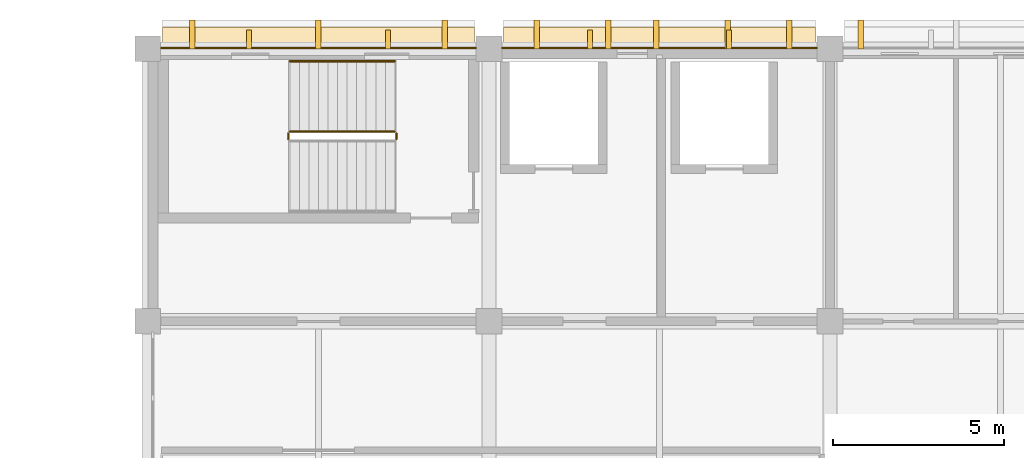
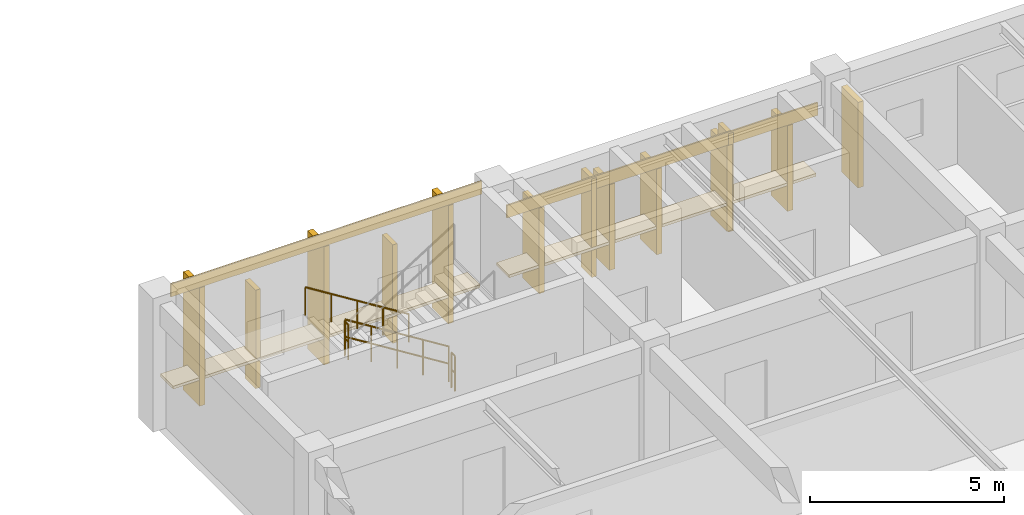
# One storey, part 79 of 83: 13 coverings, 4 railings, 4 shading devices.
"""IFC4 building model written with IfcOpenShell, lengths in metres."""

from ifc_helpers import new_model, si_unit, direction, frame, frame_2d, origin, origin_2d, place, context, subcontext, project, spatial, rectangle, circle, extrude, material, layer, layer_set, type_object, element, save


model = new_model("IFC4")

# Units and contexts
model_context = context("Model", 3, precision=1e-05, world=origin(), true_north=direction((0.0, 1.0)))
body_context = subcontext(model_context, "Body", "Model", "MODEL_VIEW")
ifc_project = project(units=[si_unit("LENGTHUNIT", "METRE"), si_unit("AREAUNIT", "SQUARE_METRE"), si_unit("VOLUMEUNIT", "CUBIC_METRE"), si_unit("PLANEANGLEUNIT", "RADIAN"), si_unit("MASSUNIT", "GRAM", prefix="KILO")], contexts=[model_context])

# Site, building, storey
site_placement = place(None, origin())
site = spatial("IfcSite", under=ifc_project, at=site_placement, CompositionType="ELEMENT")
building_placement = place(site_placement, origin())
building = spatial("IfcBuilding", under=site, at=building_placement, Name="Kivolera Central Railway Station", CompositionType="ELEMENT")
storey_placement = place(building_placement, frame((0.0, 0.0, 14.39990234375)))
storey = spatial("IfcBuildingStorey", under=building, at=storey_placement, Name="L03", CompositionType="ELEMENT", Elevation=14.39990234375)

# Shading devices
ifc_material_1 = material(Name="Precast concrete C40/50", Category="concrete")
shading_device_type = type_object("IfcShadingDeviceType", Name="BS-FIN-UPP", PredefinedType="USERDEFINED", material=ifc_material_1)
for number, where, z_axis, x_axis, name in (
    (1, (120.962890625, 134.26708984375, 0.0), (0.0, 0.0, 1.0), (1.0, 0.0, 0.0), "L03 North Brise-Soleil Fin 1.1"),
    (2, (125.037109375, 134.26708984375, 0.0), (0.0, 0.0, 1.0), (1.0, 0.0, 0.0), "L03 North Brise-Soleil Fin 1.2"),
    (3, (130.962890625, 134.26708984375, 0.0), (0.0, 0.0, 1.0), (1.0, 0.0, 0.0), "L03 North Brise-Soleil Fin 2.1"),
    (4, (135.037109375, 134.26708984375, 0.0), (0.0, 0.0, 1.0), (1.0, 0.0, 0.0), "L03 North Brise-Soleil Fin 2.2"),
):
    element("IfcShadingDevice", number, at=place(storey_placement, frame(where, z_axis=z_axis, x_axis=x_axis)), inside=storey, type_object=shading_device_type, Name=name, ObjectType="FIN", PredefinedType="USERDEFINED", context=body_context, shape_type="SweptSolid", body=[
        extrude(rectangle(XDim=0.139892578125, YDim=0.550048828125, at=origin_2d()), origin(), (0.0, 0.0, 1.0), 3.10009765625),
    ])

# Coverings
ifc_layer_1 = layer(ifc_material_1, 0.090087890625, Name="Precast concrete C40/50")
ifc_layer_set_1 = layer_set([ifc_layer_1], Name="Precast concrete C40/50")
covering_type_1 = type_object("IfcCoveringType", Name="COV-CLAUSTRA-90", PredefinedType="CLADDING", material=ifc_layer_set_1)
for number, where, z_axis, x_axis, name in (
    (5, (123.0, 134.31298828125, 0.85498046875), (0.0, 0.0, 1.0), (1.0, 0.0, 0.0), "L03 North Precast Egg-Crate Sill Shelf 1"),
    (6, (133.0, 134.31298828125, 0.85498046875), (0.0, 0.0, 1.0), (1.0, 0.0, 0.0), "L03 North Precast Egg-Crate Sill Shelf 2"),
):
    element("IfcCovering", number, at=place(storey_placement, frame(where, z_axis=z_axis, x_axis=x_axis)), inside=storey, type_object=covering_type_1, Name=name, PredefinedType="CLADDING", context=body_context, shape_type="SweptSolid", body=[
        extrude(rectangle(XDim=9.139892578125, YDim=0.64990234375, at=origin_2d()), origin(), (0.0, 0.0, 1.0), 0.090087890625),
    ])
ifc_material_2 = material(Name="Swahili coral limestone", Category="masonry")
ifc_layer_2 = layer(ifc_material_2, 0.159912109375, Name="Swahili coral limestone")
ifc_layer_set_2 = layer_set([ifc_layer_2], Name="Swahili coral limestone")
covering_type_2 = type_object("IfcCoveringType", Name="COV-EGGFIN-160", PredefinedType="CLADDING", material=ifc_layer_set_2)
for number, where, z_axis, x_axis, name in (
    (7, (119.300048828125, 134.4130859375, 0.0400390625), (0.0, 0.0, 1.0), (1.0, 0.0, 0.0), "L03 North Afro-Modernist Coral-Stone Sun-Fin 1.1"),
    (8, (123.0, 134.4130859375, 0.0400390625), (0.0, 0.0, 1.0), (1.0, 0.0, 0.0), "L03 North Afro-Modernist Coral-Stone Sun-Fin 1.2"),
    (9, (126.699951171875, 134.4130859375, 0.0400390625), (0.0, 0.0, 1.0), (1.0, 0.0, 0.0), "L03 North Afro-Modernist Coral-Stone Sun-Fin 1.3"),
):
    element("IfcCovering", number, at=place(storey_placement, frame(where, z_axis=z_axis, x_axis=x_axis)), inside=storey, type_object=covering_type_2, Name=name, PredefinedType="CLADDING", context=body_context, shape_type="SweptSolid", body=[
        extrude(rectangle(XDim=0.159912109375, YDim=0.85009765625, at=origin_2d()), origin(), (0.0, 0.0, 1.0), 3.719970703125),
    ])
for number, where, z_axis, x_axis, name in (
    (10, (129.39990234375, 134.4130859375, 0.0400390625), (0.0, 0.0, 1.0), (1.0, 0.0, 0.0), "L03 North Afro-Modernist Coral-Stone Sun-Fin 2.1"),
    (11, (131.5, 134.4130859375, 0.0400390625), (0.0, 0.0, 1.0), (1.0, 0.0, 0.0), "L03 North Afro-Modernist Coral-Stone Sun-Fin 2.2"),
    (12, (132.89990234375, 134.4130859375, 0.0400390625), (0.0, 0.0, 1.0), (1.0, 0.0, 0.0), "L03 North Afro-Modernist Coral-Stone Sun-Fin 2.3"),
    (13, (135.0, 134.4130859375, 0.0400390625), (0.0, 0.0, 1.0), (1.0, 0.0, 0.0), "L03 North Afro-Modernist Coral-Stone Sun-Fin 2.4"),
    (14, (136.800048828125, 134.4130859375, 0.0400390625), (0.0, 0.0, 1.0), (1.0, 0.0, 0.0), "L03 North Afro-Modernist Coral-Stone Sun-Fin 2.5"),
    (15, (138.89990234375, 134.4130859375, 0.0400390625), (0.0, 0.0, 1.0), (1.0, 0.0, 0.0), "L03 North Afro-Modernist Coral-Stone Sun-Fin 3.1"),
):
    element("IfcCovering", number, at=place(storey_placement, frame(where, z_axis=z_axis, x_axis=x_axis)), inside=storey, type_object=covering_type_2, Name=name, PredefinedType="CLADDING", context=body_context, shape_type="SweptSolid", body=[
        extrude(rectangle(XDim=0.159912109375, YDim=0.85009765625, at=origin_2d()), origin(), (0.0, 0.0, 1.0), 2.697998046875),
    ])
ifc_material_3 = material(Name="Terracotta clay tile", Category="masonry")
ifc_layer_3 = layer(ifc_material_3, 0.044921875, Name="Terracotta clay tile")
ifc_layer_set_3 = layer_set([ifc_layer_3], Name="Terracotta clay tile")
covering_type_3 = type_object("IfcCoveringType", Name="COV-TERRACOTTA-45", PredefinedType="CLADDING", material=ifc_layer_set_3)
for number, where, z_axis, x_axis, name in (
    (16, (118.3701171875, 134.02001953125, 3.77001953125), (0.0, 0.0, 1.0), (1.0, 0.0, 0.0), "L03 North Terracotta Spandrel 1"),
    (17, (128.3701171875, 134.02001953125, 2.748046875), (0.0, 0.0, 1.0), (1.0, 0.0, 0.0), "L03 North Terracotta Spandrel 2"),
):
    element("IfcCovering", number, at=place(storey_placement, frame(where, z_axis=z_axis, x_axis=x_axis)), inside=storey, type_object=covering_type_3, Name=name, PredefinedType="CLADDING", context=body_context, shape_type="SweptSolid", body=[
        extrude(rectangle(XDim=9.259765625, YDim=0.044921875, at=frame_2d((4.6298828125, 0.0))), origin(), (0.0, 0.0, 1.0), 0.400146484375),
    ])

# Railings
ifc_material_4 = material(Name="Anodised aluminium", Category="aluminium")
ifc_layer_4 = layer(ifc_material_4, 0.048095703125, Name="Anodised aluminium")
ifc_layer_set_4 = layer_set([ifc_layer_4], Name="Anodised aluminium")
railing_type_1 = type_object("IfcRailingType", Name="RL-STAIR-GUARD", PredefinedType="GUARDRAIL", material=ifc_layer_set_4)
railing_1_placement = place(storey_placement, frame((125.239990234375, 131.570068359375, 0.175048828125)))
element("IfcRailing", 18, at=railing_1_placement, inside=storey, type_object=railing_type_1, Name="L03 ST1 stair guard 1", PredefinedType="GUARDRAIL", context=body_context, shape_type="SweptSolid", body=[
    extrude(circle(Radius=0.02392578125, at=origin_2d()), frame((0.0, 0.0, 1.10595703125), z_axis=(-0.847998304005, 0.0, 0.529998940003), x_axis=(0.0, -1.0, 0.0)), (0.0, 0.0, 1.0), 3.632080078125),
    extrude(circle(Radius=0.02392578125, at=origin_2d()), frame((0.0, 0.0, 0.56494140625), z_axis=(-0.847998304005, 0.0, 0.529998940003), x_axis=(0.0, -1.0, 0.0)), (0.0, 0.0, 1.0), 3.632080078125),
    extrude(circle(Radius=0.02099609375, at=origin_2d()), origin(), (0.0, 0.0, 1.0), 1.081787109375),
    extrude(circle(Radius=0.02099609375, at=origin_2d()), frame((-0.77001953125, 0.0, 0.481201171875)), (0.0, 0.0, 1.0), 1.081787109375),
    extrude(circle(Radius=0.02099609375, at=origin_2d()), frame((-1.5400390625, 0.0, 0.96240234375)), (0.0, 0.0, 1.0), 1.081787109375),
    extrude(circle(Radius=0.02099609375, at=origin_2d()), frame((-2.31005859375, 0.0, 1.44384765625)), (0.0, 0.0, 1.0), 1.081787109375),
    extrude(circle(Radius=0.02099609375, at=origin_2d()), frame((-3.080078125, 0.0, 1.925048828125)), (0.0, 0.0, 1.0), 1.081787109375),
])
for number, where, name in (
    (19, (122.110107421875, 131.52001953125, 2.10009765625), "L03 ST1 stair guard 2"),
    (20, (125.2900390625, 131.52001953125, 0.0), "L03 ST1 stair guard 4"),
):
    element("IfcRailing", number, at=place(storey_placement, frame(where)), inside=storey, type_object=railing_type_1, Name=name, PredefinedType="GUARDRAIL", context=body_context, shape_type="SweptSolid", body=[
        extrude(circle(Radius=0.02392578125, at=origin_2d()), frame((0.0, 0.0, 1.10595703125), z_axis=(0.0, -1.0, 0.0), x_axis=(1.0, 0.0, 0.0)), (0.0, 0.0, 1.0), 0.179931640625),
        extrude(circle(Radius=0.02392578125, at=origin_2d()), frame((0.0, 0.0, 0.56494140625), z_axis=(0.0, -1.0, 0.0), x_axis=(1.0, 0.0, 0.0)), (0.0, 0.0, 1.0), 0.179931640625),
        extrude(circle(Radius=0.02099609375, at=origin_2d()), origin(), (0.0, 0.0, 1.0), 1.081787109375),
        extrude(circle(Radius=0.02099609375, at=origin_2d()), frame((0.0, -0.179931640625, 0.0)), (0.0, 0.0, 1.0), 1.081787109375),
    ])
ifc_layer_5 = layer(ifc_material_4, 0.048095703125, Name="Anodised aluminium")
ifc_layer_set_5 = layer_set([ifc_layer_5], Name="Anodised aluminium")
railing_type_2 = type_object("IfcRailingType", Name="RL-STAIR-HAND", PredefinedType="HANDRAIL", material=ifc_layer_set_5)
railing_2_placement = place(storey_placement, frame((125.239990234375, 133.6298828125, 0.175048828125)))
element("IfcRailing", 21, at=railing_2_placement, inside=storey, type_object=railing_type_2, Name="L03 ST1 stair handrail 1", PredefinedType="HANDRAIL", context=body_context, shape_type="SweptSolid", body=[
    extrude(circle(Radius=0.02392578125, at=origin_2d()), frame((0.0, 0.0, 0.8759765625), z_axis=(-0.847998304005, 0.0, 0.529998940003), x_axis=(0.0, -1.0, 0.0)), (0.0, 0.0, 1.0), 3.632080078125),
    extrude(circle(Radius=0.02099609375, at=origin_2d()), origin(), (0.0, 0.0, 1.0), 0.851806640625),
    extrude(circle(Radius=0.02099609375, at=origin_2d()), frame((-0.77001953125, 0.0, 0.481201171875)), (0.0, 0.0, 1.0), 0.851806640625),
    extrude(circle(Radius=0.02099609375, at=origin_2d()), frame((-1.5400390625, 0.0, 0.96240234375)), (0.0, 0.0, 1.0), 0.851806640625),
    extrude(circle(Radius=0.02099609375, at=origin_2d()), frame((-2.31005859375, 0.0, 1.44384765625)), (0.0, 0.0, 1.0), 0.851806640625),
    extrude(circle(Radius=0.02099609375, at=origin_2d()), frame((-3.080078125, 0.0, 1.925048828125)), (0.0, 0.0, 1.0), 0.851806640625),
])

save(model, "model.ifc")
